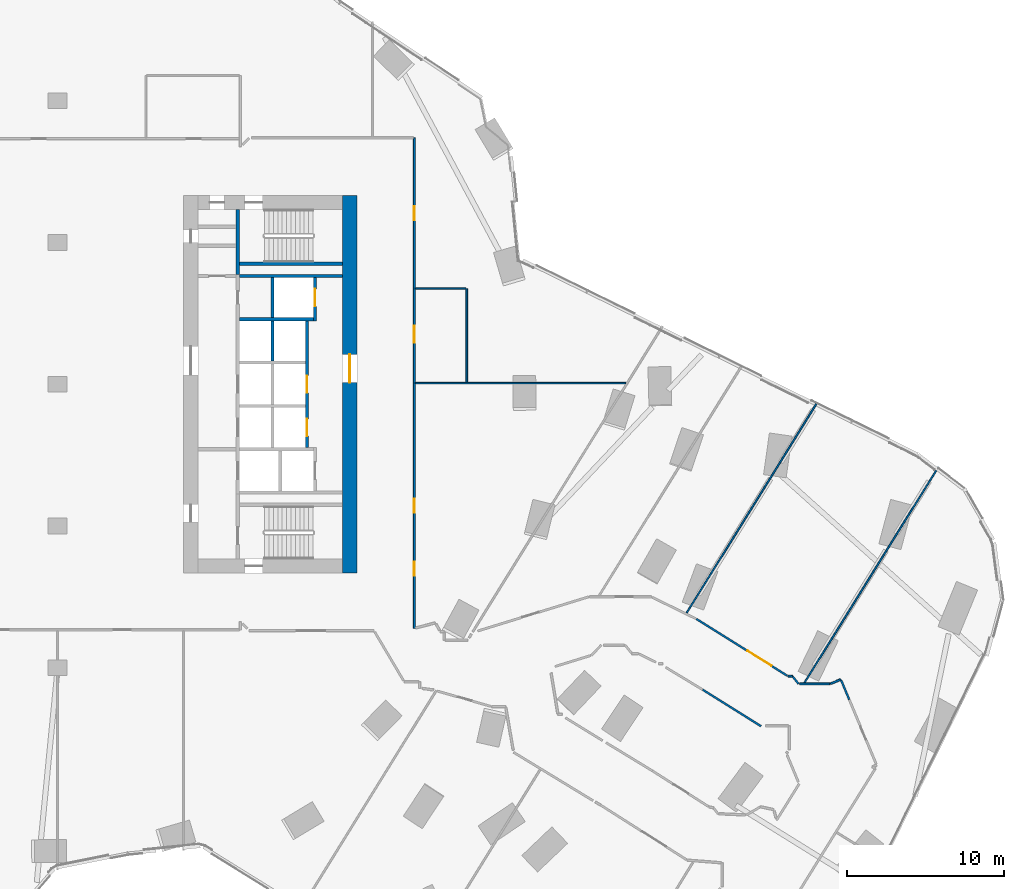
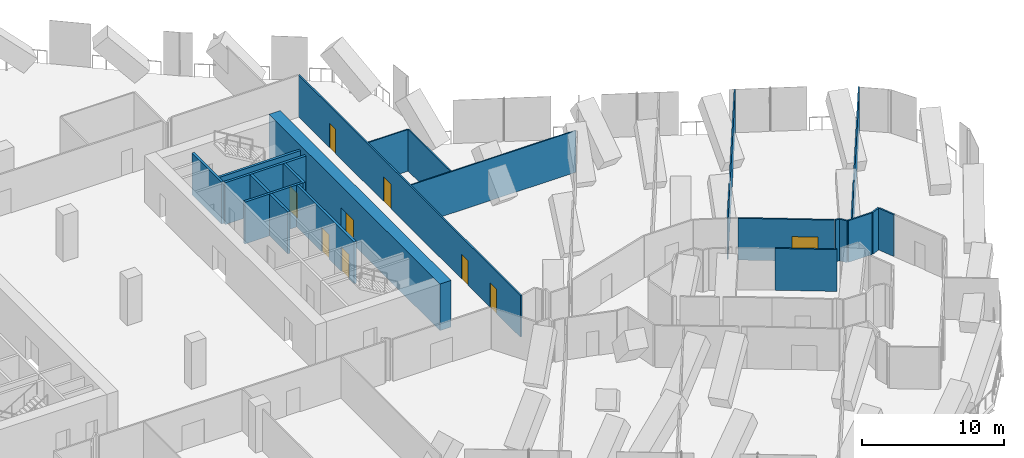
# One storey, part 27 of 31: 22 walls, 9 doors, 9 openings.
"""IFC4 building model written with IfcOpenShell, lengths in metres."""

from ifc_helpers import new_model, si_unit, direction, frame, frame_2d, origin, place, context, subcontext, project, spatial, rectangle, extrude, material, layer, layer_set, type_object, element, fill, save


model = new_model("IFC4")

# Units and contexts
model_context = context("Model", 3, precision=1e-05, world=origin(), true_north=direction((0.0, 1.0)))
body_context = subcontext(model_context, "Body", "Model", "MODEL_VIEW")
ifc_project = project(units=[si_unit("LENGTHUNIT", "METRE"), si_unit("AREAUNIT", "SQUARE_METRE"), si_unit("VOLUMEUNIT", "CUBIC_METRE"), si_unit("PLANEANGLEUNIT", "RADIAN"), si_unit("MASSUNIT", "GRAM", prefix="KILO")], contexts=[model_context])

# Site, building, storey
site_placement = place(None, origin())
site = spatial("IfcSite", under=ifc_project, at=site_placement, CompositionType="ELEMENT")
building_placement = place(site_placement, origin())
building = spatial("IfcBuilding", under=site, at=building_placement, Name="Orlundy Tower", CompositionType="ELEMENT")
storey_placement = place(building_placement, frame((0.0, 0.0, 54.800048828125)))
storey = spatial("IfcBuildingStorey", under=building, at=storey_placement, Name="L12", CompositionType="ELEMENT", Elevation=54.800048828125)

# Wall, opening, door
ifc_material_1 = material(Name="Concrete C80/95", Category="concrete")
ifc_layer_1 = layer(ifc_material_1, 0.89990234375)
ifc_layer_set_1 = layer_set([ifc_layer_1], Name="CORE WALL 900 C80/95")
wall_type_1 = type_object("IfcWallType", Name="CORE WALL 900 C80/95", PredefinedType="SHEAR", material=ifc_layer_set_1)
wall_1_placement = place(storey_placement, frame((18.550048828125, -12.0, 0.0), z_axis=(0.0, 0.0, 1.0), x_axis=(0.0, 1.0, 0.0)))
wall_1 = element("IfcWall", 1, at=wall_1_placement, inside=storey, type_object=wall_type_1, Name="Core wall E-E L12", PredefinedType="SHEAR", context=body_context, shape_type="SweptSolid", body=[
    extrude(rectangle(XDim=24.0, YDim=0.89990234375, at=frame_2d((12.0, 0.0))), origin(), (0.0, 0.0, 1.0), 4.0),
])
opening_1_placement = place(wall_1_placement, frame((12.10009765625, 0.0, 0.0)))
opening_1 = element("IfcOpeningElement", 2, at=opening_1_placement, cuts=wall_1, Name="Opening 11059", PredefinedType="OPENING", context=body_context, shape_type="SweptSolid", body=[
    extrude(rectangle(XDim=1.800048828125, YDim=2.10009765625, at=frame_2d((0.89990234375, 1.050048828125))), frame((0.0, 0.4599609375, 0.0), z_axis=(0.0, -1.0, 0.0), x_axis=(1.0, 0.0, 0.0)), (0.0, 0.0, 1.0), 0.919921875),
])
ifc_material_2 = material(Name="Timber door set", Category="wood")
door_type_1 = type_object("IfcDoorType", Name="Lobby Door 1800x2100", OperationType="DOUBLE_DOOR_DOUBLE_SWING", PredefinedType="DOOR", material=ifc_material_2)
door_1_placement = place(opening_1_placement, origin())
door_1 = element("IfcDoor", 3, at=door_1_placement, inside=storey, type_object=door_type_1, Name="Lift lobby door 11059", OperationType="SINGLE_SWING_RIGHT", OverallHeight=2.10009765625, OverallWidth=1.800048828125, PredefinedType="DOOR", context=body_context, shape_type="SweptSolid", body=[
    extrude(rectangle(XDim=1.800048828125, YDim=2.10009765625, at=frame_2d((0.89990234375, 1.050048828125))), frame((0.0, 0.02490234375, 0.0), z_axis=(0.0, -1.0, 0.0), x_axis=(1.0, 0.0, 0.0)), (0.0, 0.0, 1.0), 0.050048828125),
])
fill(opening_1, door_1)

# Walls
ifc_material_3 = material(Name="Gypsum board partition")
ifc_layer_2 = layer(ifc_material_3, 0.10009765625)
ifc_layer_set_2 = layer_set([ifc_layer_2], Name="Floor partition 100")
wall_type_2 = type_object("IfcWallType", Name="Floor partition 100", PredefinedType="PARTITIONING", material=ifc_layer_set_2)
wall_2_placement = place(storey_placement, frame((22.7119140625, 0.072021484375, 0.0), z_axis=(0.0, 0.0, 1.0), x_axis=(1.0, 0.0, 0.0)))
element("IfcWall", 4, at=wall_2_placement, inside=storey, type_object=wall_type_2, Name="wall-int-L12-074", PredefinedType="PARTITIONING", context=body_context, shape_type="SweptSolid", body=[
    extrude(rectangle(XDim=13.3701171875, YDim=0.10009765625, at=frame_2d((6.68505859375, 0.0))), origin(), (0.0, 0.0, 1.0), 3.579833984375),
])
wall_3_placement = place(storey_placement, frame((22.7119140625, 6.071044921875, 0.0), z_axis=(0.0, 0.0, 1.0), x_axis=(1.0, 0.0, 0.0)))
element("IfcWall", 5, at=wall_3_placement, inside=storey, type_object=wall_type_2, Name="wall-int-L12-076", PredefinedType="PARTITIONING", context=body_context, shape_type="SweptSolid", body=[
    extrude(rectangle(XDim=3.219970703125, YDim=0.10009765625, at=frame_2d((1.60986328125, 0.0))), origin(), (0.0, 0.0, 1.0), 3.579833984375),
])
wall_4_placement = place(storey_placement, frame((47.44189453125, -18.947021484375, 0.0), z_axis=(0.0, 0.0, 1.0), x_axis=(0.527488067466, 0.849562439542, 0.0)))
element("IfcWall", 6, at=wall_4_placement, inside=storey, type_object=wall_type_2, Name="wall-int-L12-125", PredefinedType="PARTITIONING", context=body_context, shape_type="SweptSolid", body=[
    extrude(rectangle(XDim=16.114013671875, YDim=0.10009765625, at=frame_2d((8.05712890625, 0.0))), origin(), (0.0, 0.0, 1.0), 3.579833984375),
])
wall_5_placement = place(storey_placement, frame((39.944091796875, -14.531005859375, 0.0), z_axis=(0.0, 0.0, 1.0), x_axis=(0.527404137303, 0.849614545518, 0.0)))
element("IfcWall", 7, at=wall_5_placement, inside=storey, type_object=wall_type_2, Name="wall-int-L12-126", PredefinedType="PARTITIONING", context=body_context, shape_type="SweptSolid", body=[
    extrude(rectangle(XDim=15.754150390625, YDim=0.10009765625, at=frame_2d((7.876953125, 0.0))), origin(), (0.0, 0.0, 1.0), 3.579833984375),
])
wall_6_placement = place(storey_placement, frame((25.98193359375, 0.1220703125, 0.0), z_axis=(0.0, 0.0, 1.0), x_axis=(0.0, 1.0, 0.0)))
element("IfcWall", 8, at=wall_6_placement, inside=storey, type_object=wall_type_2, Name="wall-int-L12-142", PredefinedType="PARTITIONING", context=body_context, shape_type="SweptSolid", body=[
    extrude(rectangle(XDim=5.948974609375, YDim=0.10009765625, at=frame_2d((2.974609375, 0.0))), origin(), (0.0, 0.0, 1.0), 3.579833984375),
])
ifc_material_4 = material(Name="Gypsum board partition, double layer")
ifc_layer_3 = layer(ifc_material_4, 0.125)
ifc_layer_set_3 = layer_set([ifc_layer_3], Name="Floor partition 125")
wall_type_3 = type_object("IfcWallType", Name="Floor partition 125", PredefinedType="PARTITIONING", material=ifc_layer_set_3)
wall_7_placement = place(storey_placement, frame((49.76806640625, -18.81005859375, 0.0), z_axis=(0.0, 0.0, 1.0), x_axis=(0.385683969808, -0.922630953, 0.0)))
element("IfcWall", 9, at=wall_7_placement, inside=storey, type_object=wall_type_3, Name="wall-int-L12-011", PredefinedType="PARTITIONING", context=body_context, shape_type="SweptSolid", body=[
    extrude(rectangle(XDim=1.329833984375, YDim=0.125, at=frame_2d((0.6650390625, 0.0))), origin(), (0.0, 0.0, 1.0), 3.579833984375),
])
wall_8_placement = place(storey_placement, frame((40.971923828125, -19.405029296875, 0.0), z_axis=(0.0, 0.0, 1.0), x_axis=(0.847809891227, -0.530300281291, 0.0)))
element("IfcWall", 10, at=wall_8_placement, inside=storey, type_object=wall_type_3, Name="wall-int-L12-032", PredefinedType="PARTITIONING", context=body_context, shape_type="SweptSolid", body=[
    extrude(rectangle(XDim=4.369140625, YDim=0.125, at=frame_2d((2.1845703125, 0.0))), origin(), (0.0, 0.0, 1.0), 3.579833984375),
])

# Wall, opening, door
wall_9_placement = place(storey_placement, frame((40.56689453125, -14.906005859375, 0.0), z_axis=(0.0, 0.0, 1.0), x_axis=(0.847984152338, -0.530021581998, 0.0)))
wall_9 = element("IfcWall", 11, at=wall_9_placement, inside=storey, type_object=wall_type_3, Name="wall-int-L12-033", PredefinedType="PARTITIONING", context=body_context, shape_type="SweptSolid", body=[
    extrude(rectangle(XDim=6.784423828125, YDim=0.125, at=frame_2d((3.39208984375, 0.0))), origin(), (0.0, 0.0, 1.0), 3.579833984375),
])
opening_2_placement = place(wall_9_placement, frame((3.81689453125, 0.0, 0.0)))
opening_2 = element("IfcOpeningElement", 12, at=opening_2_placement, cuts=wall_9, Name="Opening 11102", PredefinedType="OPENING", context=body_context, shape_type="SweptSolid", body=[
    extrude(rectangle(XDim=1.800048828125, YDim=2.10009765625, at=frame_2d((0.89990234375, 1.050048828125))), frame((0.0, 0.072509765625, 0.0), z_axis=(0.0, -1.0, 0.0), x_axis=(1.0, 0.0, 0.0)), (0.0, 0.0, 1.0), 0.14501953125),
])
ifc_material_5 = material(Name="Timber door leaf", Category="wood")
door_type_2 = type_object("IfcDoorType", Name="Floor door double 1800 FD30S", OperationType="NOTDEFINED", PredefinedType="DOOR", material=ifc_material_5)
door_2_placement = place(opening_2_placement, origin())
door_2 = element("IfcDoor", 13, at=door_2_placement, inside=storey, type_object=door_type_2, Name="Door 11102", OperationType="DOUBLE_DOOR_SINGLE_SWING", OverallHeight=2.10009765625, OverallWidth=1.800048828125, PredefinedType="DOOR", context=body_context, shape_type="SweptSolid", body=[
    extrude(rectangle(XDim=1.800048828125, YDim=2.10009765625, at=frame_2d((0.89990234375, 1.050048828125))), frame((0.0, 0.02490234375, 0.0), z_axis=(0.0, -1.0, 0.0), x_axis=(1.0, 0.0, 0.0)), (0.0, 0.0, 1.0), 0.050048828125),
])
fill(opening_2, door_2)

# Walls
wall_10_placement = place(storey_placement, frame((46.3720703125, -18.532958984375, 0.0), z_axis=(0.0, 0.0, 1.0), x_axis=(0.99743033576, -0.071643040877, 0.0)))
element("IfcWall", 14, at=wall_10_placement, inside=storey, type_object=wall_type_3, Name="wall-int-L12-049", PredefinedType="PARTITIONING", context=body_context, shape_type="SweptSolid", body=[
    extrude(rectangle(XDim=0.306640625, YDim=0.125, at=frame_2d((0.1533203125, 0.0))), origin(), (0.0, 0.0, 1.0), 3.579833984375),
])
wall_11_placement = place(storey_placement, frame((47.1201171875, -19.035888671875, 0.0), z_axis=(0.0, 0.0, 1.0), x_axis=(1.0, 0.0, 0.0)))
element("IfcWall", 15, at=wall_11_placement, inside=storey, type_object=wall_type_3, Name="wall-int-L12-063", PredefinedType="PARTITIONING", context=body_context, shape_type="SweptSolid", body=[
    extrude(rectangle(XDim=1.90478515625, YDim=0.125, at=frame_2d((0.952392578125, 0.0))), origin(), (0.0, 0.0, 1.0), 3.579833984375),
])
wall_12_placement = place(storey_placement, frame((49.0869140625, -19.027099609375, 0.0), z_axis=(0.0, 0.0, 1.0), x_axis=(0.922375671866, 0.386294084798, 0.0)))
element("IfcWall", 16, at=wall_12_placement, inside=storey, type_object=wall_type_3, Name="wall-int-L12-088", PredefinedType="PARTITIONING", context=body_context, shape_type="SweptSolid", body=[
    extrude(rectangle(XDim=0.712158203125, YDim=0.125, at=frame_2d((0.35595703125, 0.0))), origin(), (0.0, 0.0, 1.0), 3.579833984375),
])
wall_13_placement = place(storey_placement, frame((47.05810546875, -19.035888671875, 0.0), z_axis=(0.0, 0.0, 1.0), x_axis=(-0.620070307774, 0.784546246831, 0.0)))
element("IfcWall", 17, at=wall_13_placement, inside=storey, type_object=wall_type_3, Name="wall-int-L12-137", PredefinedType="PARTITIONING", context=body_context, shape_type="SweptSolid", body=[
    extrude(rectangle(XDim=0.613037109375, YDim=0.125, at=frame_2d((0.306640625, 0.0))), origin(), (0.0, 0.0, 1.0), 3.579833984375),
])

# Wall, openings, doors
wall_14_placement = place(storey_placement, frame((22.64990234375, 15.65087890625, 0.0), z_axis=(0.0, 0.0, 1.0), x_axis=(0.0, -1.0, 0.0)))
wall_14 = element("IfcWall", 18, at=wall_14_placement, inside=storey, type_object=wall_type_3, Name="wall-int-L12-145", PredefinedType="PARTITIONING", context=body_context, shape_type="SweptSolid", body=[
    extrude(rectangle(XDim=31.15380859375, YDim=0.125, at=frame_2d((15.576904296875, 0.0))), origin(), (0.0, 0.0, 1.0), 3.579833984375),
])
opening_3_placement = place(wall_14_placement, frame((26.928955078125, 0.0, 0.0)))
opening_3 = element("IfcOpeningElement", 19, at=opening_3_placement, cuts=wall_14, Name="Opening 11122", PredefinedType="OPENING", context=body_context, shape_type="SweptSolid", body=[
    extrude(rectangle(XDim=0.89990234375, YDim=2.10009765625, at=frame_2d((0.449951171875, 1.050048828125))), frame((0.0, 0.072509765625, 0.0), z_axis=(0.0, -1.0, 0.0), x_axis=(1.0, 0.0, 0.0)), (0.0, 0.0, 1.0), 0.14501953125),
])
opening_4_placement = place(wall_14_placement, frame((22.928955078125, 0.0, 0.0)))
opening_4 = element("IfcOpeningElement", 20, at=opening_4_placement, cuts=wall_14, Name="Opening 11123", PredefinedType="OPENING", context=body_context, shape_type="SweptSolid", body=[
    extrude(rectangle(XDim=0.89990234375, YDim=2.10009765625, at=frame_2d((0.449951171875, 1.050048828125))), frame((0.0, 0.072509765625, 0.0), z_axis=(0.0, -1.0, 0.0), x_axis=(1.0, 0.0, 0.0)), (0.0, 0.0, 1.0), 0.14501953125),
])
opening_5_placement = place(wall_14_placement, frame((4.35009765625, 0.0, 0.0)))
opening_5 = element("IfcOpeningElement", 21, at=opening_5_placement, cuts=wall_14, Name="Opening 11124", PredefinedType="OPENING", context=body_context, shape_type="SweptSolid", body=[
    extrude(rectangle(XDim=0.89990234375, YDim=2.10009765625, at=frame_2d((0.449951171875, 1.050048828125))), frame((0.0, 0.072509765625, 0.0), z_axis=(0.0, -1.0, 0.0), x_axis=(1.0, 0.0, 0.0)), (0.0, 0.0, 1.0), 0.14501953125),
])
opening_6_placement = place(wall_14_placement, frame((11.929931640625, 0.0, 0.0)))
opening_6 = element("IfcOpeningElement", 22, at=opening_6_placement, cuts=wall_14, Name="Opening 11129", PredefinedType="OPENING", context=body_context, shape_type="SweptSolid", body=[
    extrude(rectangle(XDim=1.10009765625, YDim=2.10009765625, at=frame_2d((0.550048828125, 1.050048828125))), frame((0.0, 0.072509765625, 0.0), z_axis=(0.0, -1.0, 0.0), x_axis=(1.0, 0.0, 0.0)), (0.0, 0.0, 1.0), 0.14501953125),
])
ifc_material_6 = material(Name="Timber door leaf", Category="wood")
door_type_3 = type_object("IfcDoorType", Name="Floor door single 900 FD30S", OperationType="NOTDEFINED", PredefinedType="DOOR", material=ifc_material_6)
door_3_placement = place(opening_3_placement, origin())
door_3 = element("IfcDoor", 23, at=door_3_placement, inside=storey, type_object=door_type_3, Name="Door 11122", OperationType="SINGLE_SWING_RIGHT", OverallHeight=2.10009765625, OverallWidth=0.89990234375, PredefinedType="DOOR", context=body_context, shape_type="SweptSolid", body=[
    extrude(rectangle(XDim=0.89990234375, YDim=2.10009765625, at=frame_2d((0.449951171875, 1.050048828125))), frame((0.0, 0.02490234375, 0.0), z_axis=(0.0, -1.0, 0.0), x_axis=(1.0, 0.0, 0.0)), (0.0, 0.0, 1.0), 0.050048828125),
])
fill(opening_3, door_3)
door_4_placement = place(opening_4_placement, origin())
door_4 = element("IfcDoor", 24, at=door_4_placement, inside=storey, type_object=door_type_3, Name="Door 11123", OperationType="SINGLE_SWING_RIGHT", OverallHeight=2.10009765625, OverallWidth=0.89990234375, PredefinedType="DOOR", context=body_context, shape_type="SweptSolid", body=[
    extrude(rectangle(XDim=0.89990234375, YDim=2.10009765625, at=frame_2d((0.449951171875, 1.050048828125))), frame((0.0, 0.02490234375, 0.0), z_axis=(0.0, -1.0, 0.0), x_axis=(1.0, 0.0, 0.0)), (0.0, 0.0, 1.0), 0.050048828125),
])
fill(opening_4, door_4)
door_5_placement = place(opening_5_placement, origin())
door_5 = element("IfcDoor", 25, at=door_5_placement, inside=storey, type_object=door_type_3, Name="Door 11124", OperationType="SINGLE_SWING_LEFT", OverallHeight=2.10009765625, OverallWidth=0.89990234375, PredefinedType="DOOR", context=body_context, shape_type="SweptSolid", body=[
    extrude(rectangle(XDim=0.89990234375, YDim=2.10009765625, at=frame_2d((0.449951171875, 1.050048828125))), frame((0.0, 0.02490234375, 0.0), z_axis=(0.0, -1.0, 0.0), x_axis=(1.0, 0.0, 0.0)), (0.0, 0.0, 1.0), 0.050048828125),
])
fill(opening_5, door_5)
ifc_material_7 = material(Name="Timber door leaf", Category="wood")
door_type_4 = type_object("IfcDoorType", Name="Floor door xwide 1100 FD30S", OperationType="NOTDEFINED", PredefinedType="DOOR", material=ifc_material_7)
door_6_placement = place(opening_6_placement, origin())
door_6 = element("IfcDoor", 26, at=door_6_placement, inside=storey, type_object=door_type_4, Name="Door 11129", OperationType="SINGLE_SWING_LEFT", OverallHeight=2.10009765625, OverallWidth=1.10009765625, PredefinedType="DOOR", context=body_context, shape_type="SweptSolid", body=[
    extrude(rectangle(XDim=1.10009765625, YDim=2.10009765625, at=frame_2d((0.550048828125, 1.050048828125))), frame((0.0, 0.02490234375, 0.0), z_axis=(0.0, -1.0, 0.0), x_axis=(1.0, 0.0, 0.0)), (0.0, 0.0, 1.0), 0.050048828125),
])
fill(opening_6, door_6)

# Walls
ifc_material_8 = material(Name="Concrete C40/50", Category="concrete")
ifc_layer_4 = layer(ifc_material_8, 0.199951171875)
ifc_layer_set_4 = layer_set([ifc_layer_4], Name="Load-bearing Shaft Wall 200")
wall_type_4 = type_object("IfcWallType", Name="Load-bearing Shaft Wall 200", PredefinedType="SOLIDWALL", material=ifc_layer_set_4)
wall_15_placement = place(storey_placement, frame((11.43994140625, 11.10009765625, 0.0), z_axis=(0.0, 0.0, 1.0), x_axis=(0.0, -1.0, 0.0)))
element("IfcWall", 27, at=wall_15_placement, inside=storey, type_object=wall_type_4, Name="Shaft wall E11-stair-end-s", PredefinedType="SOLIDWALL", context=body_context, shape_type="SweptSolid", body=[
    extrude(rectangle(XDim=4.125, YDim=0.199951171875, at=frame_2d((2.0625, 0.0))), origin(), (0.0, 0.0, 1.0), 3.58984375),
])
wall_16_placement = place(storey_placement, frame((11.5400390625, 7.64990234375, 0.0), z_axis=(0.0, 0.0, 1.0), x_axis=(1.0, 0.0, 0.0)))
element("IfcWall", 28, at=wall_16_placement, inside=storey, type_object=wall_type_4, Name="Shaft wall E11-stair-side-s", PredefinedType="SOLIDWALL", context=body_context, shape_type="SweptSolid", body=[
    extrude(rectangle(XDim=6.56005859375, YDim=0.199951171875, at=frame_2d((3.280029296875, 0.0))), origin(), (0.0, 0.0, 1.0), 3.58984375),
])
ifc_material_9 = material(Name="Fire-rated blockwork shaft wall", Category="masonry")
ifc_layer_5 = layer(ifc_material_9, 0.199951171875)
ifc_layer_set_5 = layer_set([ifc_layer_5], Name="Shaft Wall 200")
wall_type_5 = type_object("IfcWallType", Name="Shaft Wall 200", PredefinedType="SOLIDWALL", material=ifc_layer_set_5)
wall_17_placement = place(storey_placement, frame((11.5400390625, 6.875, 0.0), z_axis=(0.0, 0.0, 1.0), x_axis=(1.0, 0.0, 0.0)))
element("IfcWall", 29, at=wall_17_placement, inside=storey, type_object=wall_type_5, Name="Shaft wall E11-zone-s", PredefinedType="SOLIDWALL", context=body_context, shape_type="SweptSolid", body=[
    extrude(rectangle(XDim=6.56005859375, YDim=0.199951171875, at=frame_2d((3.280029296875, 0.0))), origin(), (0.0, 0.0, 1.0), 3.58984375),
])
wall_18_placement = place(storey_placement, frame((11.5400390625, 4.125, 0.0), z_axis=(0.0, 0.0, 1.0), x_axis=(1.0, 0.0, 0.0)))
element("IfcWall", 30, at=wall_18_placement, inside=storey, type_object=wall_type_5, Name="Shaft wall E11-cross-4.125", PredefinedType="SOLIDWALL", context=body_context, shape_type="SweptSolid", body=[
    extrude(rectangle(XDim=4.699951171875, YDim=0.199951171875, at=frame_2d((2.35009765625, 0.0))), origin(), (0.0, 0.0, 1.0), 3.58984375),
])
for number, where, z_axis, x_axis, name in (
    (31, (13.639892578125, 6.77490234375, 0.0), (0.0, 0.0, 1.0), (0.0, -1.0, 0.0), "Shaft wall E11-mid-a"),
    (32, (13.639892578125, 4.02490234375, 0.0), (0.0, 0.0, 1.0), (0.0, -1.0, 0.0), "Shaft wall E11-mid-a.1"),
):
    element("IfcWall", number, at=place(storey_placement, frame(where, z_axis=z_axis, x_axis=x_axis)), inside=storey, type_object=wall_type_5, Name=name, PredefinedType="SOLIDWALL", context=body_context, shape_type="SweptSolid", body=[
        extrude(rectangle(XDim=2.5498046875, YDim=0.199951171875, at=frame_2d((1.27490234375, 0.0))), origin(), (0.0, 0.0, 1.0), 3.58984375),
    ])

# Wall, opening, door
wall_19_placement = place(storey_placement, frame((16.340087890625, 6.77490234375, 0.0), z_axis=(0.0, 0.0, 1.0), x_axis=(0.0, -1.0, 0.0)))
wall_19 = element("IfcWall", 33, at=wall_19_placement, inside=storey, type_object=wall_type_5, Name="Shaft wall E11-front-o-a", PredefinedType="SOLIDWALL", context=body_context, shape_type="SweptSolid", body=[
    extrude(rectangle(XDim=2.75, YDim=0.199951171875, at=frame_2d((1.375, 0.0))), origin(), (0.0, 0.0, 1.0), 3.58984375),
])
opening_7_placement = place(wall_19_placement, frame((0.72509765625, 0.0, 0.0)))
opening_7 = element("IfcOpeningElement", 34, at=opening_7_placement, cuts=wall_19, Name="Opening 11050", PredefinedType="OPENING", context=body_context, shape_type="SweptSolid", body=[
    extrude(rectangle(XDim=1.10009765625, YDim=2.10009765625, at=frame_2d((0.550048828125, 1.050048828125))), frame((0.0, 0.110107421875, 0.0), z_axis=(0.0, -1.0, 0.0), x_axis=(1.0, 0.0, 0.0)), (0.0, 0.0, 1.0), 0.22021484375),
])
ifc_material_10 = material(Name="Steel door set", Category="steel")
door_type_5 = type_object("IfcDoorType", Name="Landing Door 1100x2100", OperationType="DOUBLE_DOOR_SLIDING", PredefinedType="DOOR", material=ifc_material_10)
door_7_placement = place(opening_7_placement, origin())
door_7 = element("IfcDoor", 35, at=door_7_placement, inside=storey, type_object=door_type_5, Name="Lift landing door LV-02 11050", OperationType="DOUBLE_DOOR_SLIDING", OverallHeight=2.10009765625, OverallWidth=1.10009765625, PredefinedType="DOOR", context=body_context, shape_type="SweptSolid", body=[
    extrude(rectangle(XDim=1.10009765625, YDim=2.10009765625, at=frame_2d((0.550048828125, 1.050048828125))), frame((0.0, 0.02490234375, 0.0), z_axis=(0.0, -1.0, 0.0), x_axis=(1.0, 0.0, 0.0)), (0.0, 0.0, 1.0), 0.050048828125),
])
fill(opening_7, door_7)

# Wall, openings, doors
wall_20_placement = place(storey_placement, frame((15.840087890625, 4.02490234375, 0.0), z_axis=(0.0, 0.0, 1.0), x_axis=(0.0, -1.0, 0.0)))
wall_20 = element("IfcWall", 36, at=wall_20_placement, inside=storey, type_object=wall_type_5, Name="Shaft wall E11-front-o-b", PredefinedType="SOLIDWALL", context=body_context, shape_type="SweptSolid", body=[
    extrude(rectangle(XDim=8.0498046875, YDim=0.199951171875, at=frame_2d((4.02490234375, 0.0))), origin(), (0.0, 0.0, 1.0), 3.58984375),
])
opening_8_placement = place(wall_20_placement, frame((3.47509765625, 0.0, 0.0)))
opening_8 = element("IfcOpeningElement", 37, at=opening_8_placement, cuts=wall_20, Name="Opening 11052", PredefinedType="OPENING", context=body_context, shape_type="SweptSolid", body=[
    extrude(rectangle(XDim=1.10009765625, YDim=2.10009765625, at=frame_2d((0.550048828125, 1.050048828125))), frame((0.0, 0.110107421875, 0.0), z_axis=(0.0, -1.0, 0.0), x_axis=(1.0, 0.0, 0.0)), (0.0, 0.0, 1.0), 0.22021484375),
])
opening_9_placement = place(wall_20_placement, frame((6.22509765625, 0.0, 0.0)))
opening_9 = element("IfcOpeningElement", 38, at=opening_9_placement, cuts=wall_20, Name="Opening 11054", PredefinedType="OPENING", context=body_context, shape_type="SweptSolid", body=[
    extrude(rectangle(XDim=1.10009765625, YDim=2.10009765625, at=frame_2d((0.550048828125, 1.050048828125))), frame((0.0, 0.110107421875, 0.0), z_axis=(0.0, -1.0, 0.0), x_axis=(1.0, 0.0, 0.0)), (0.0, 0.0, 1.0), 0.22021484375),
])
door_8_placement = place(opening_8_placement, origin())
door_8 = element("IfcDoor", 39, at=door_8_placement, inside=storey, type_object=door_type_5, Name="Lift landing door LP-06 11052", OperationType="DOUBLE_DOOR_SLIDING", OverallHeight=2.10009765625, OverallWidth=1.10009765625, PredefinedType="DOOR", context=body_context, shape_type="SweptSolid", body=[
    extrude(rectangle(XDim=1.10009765625, YDim=2.10009765625, at=frame_2d((0.550048828125, 1.050048828125))), frame((0.0, 0.02490234375, 0.0), z_axis=(0.0, -1.0, 0.0), x_axis=(1.0, 0.0, 0.0)), (0.0, 0.0, 1.0), 0.050048828125),
])
fill(opening_8, door_8)
door_9_placement = place(opening_9_placement, origin())
door_9 = element("IfcDoor", 40, at=door_9_placement, inside=storey, type_object=door_type_5, Name="Lift landing door LP-08 11054", OperationType="DOUBLE_DOOR_SLIDING", OverallHeight=2.10009765625, OverallWidth=1.10009765625, PredefinedType="DOOR", context=body_context, shape_type="SweptSolid", body=[
    extrude(rectangle(XDim=1.10009765625, YDim=2.10009765625, at=frame_2d((0.550048828125, 1.050048828125))), frame((0.0, 0.02490234375, 0.0), z_axis=(0.0, -1.0, 0.0), x_axis=(1.0, 0.0, 0.0)), (0.0, 0.0, 1.0), 0.050048828125),
])
fill(opening_9, door_9)

save(model, "model.ifc")
